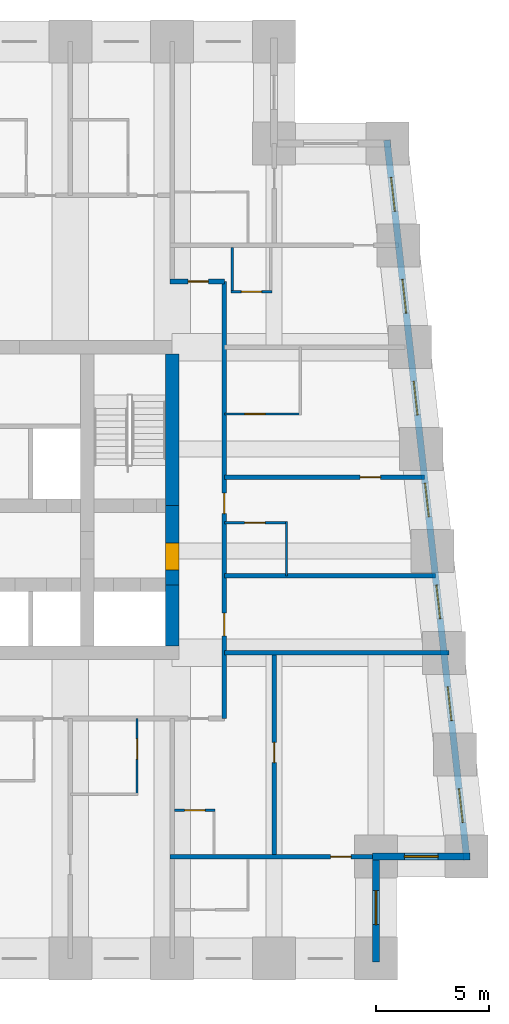
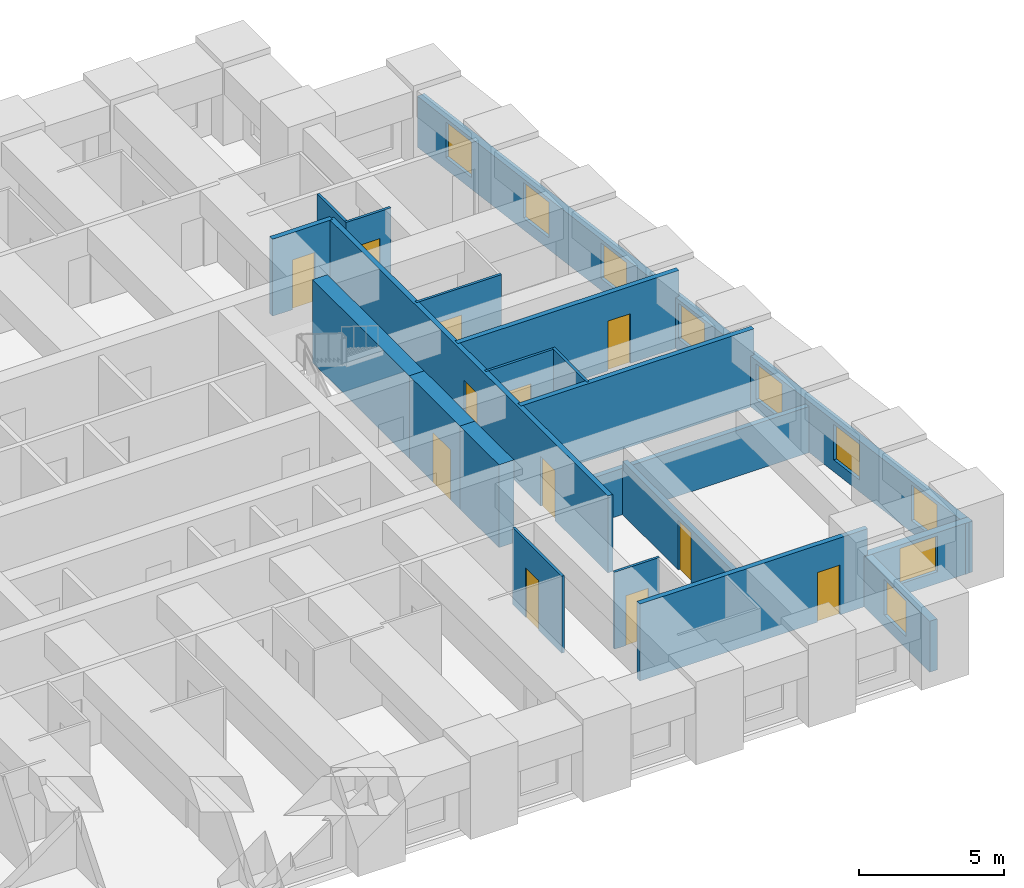
# One storey, part 5 of 8: 20 walls, 12 doors, 9 windows, 21 openings.
"""IFC4 building model written with IfcOpenShell, lengths in metres."""

import ifcopenshell
import ifcopenshell.guid

model = None  # the IFC model being written
_history = None  # IfcOwnerHistory: only IFC2X3 demands one
_inside = {}  # id of a spatial element -> (the spatial element, [elements in it])
_under = {}  # id of a project, library or spatial element -> (it, [spatial elements below it])
_declared = {}  # id of a project -> (the project, [libraries it declares])
_typed = {}  # id of a type object -> (the type object, [elements of that type])
_made_of = {}  # id of a material, layer set ... -> (it, [elements and type objects made of it])


def new_model(schema):
    """Start an empty IFC model of exactly this schema.

    Asked for "IFC4X3", IfcOpenShell would pick the latest addendum, in which some entities
    have other attributes; the version numbers below select the first issue.
    IFC2X3 requires an IfcOwnerHistory on every rooted entity: one is made here for all.
    """
    global model, _history
    if schema == "IFC4X3":
        model = ifcopenshell.file(schema_version=(4, 3, 0, 0))
    else:
        model = ifcopenshell.file(schema=schema)
    _inside.clear()
    _under.clear()
    _declared.clear()
    _typed.clear()
    _made_of.clear()
    _history = None
    if model.schema == "IFC2X3":
        org = make("IfcOrganization", Name="unknown")
        user = make(
            "IfcPersonAndOrganization",
            ThePerson=make("IfcPerson", FamilyName="unknown"),
            TheOrganization=org,
        )
        app = make(
            "IfcApplication",
            ApplicationDeveloper=org,
            Version="unknown",
            ApplicationFullName="unknown",
            ApplicationIdentifier="unknown",
        )
        _history = make(
            "IfcOwnerHistory",
            OwningUser=user,
            OwningApplication=app,
            ChangeAction="ADDED",
            CreationDate=0,
        )
    return model


def make(cls, **values):
    """One entity of the class cls with the attributes given. An attribute that is None is left unset."""
    return model.create_entity(
        cls, **{name: value for name, value in values.items() if value is not None}
    )


def rooted(cls, **values):
    """An entity with a GlobalId (a new one), such as an element, a storey or a relation."""
    return make(cls, GlobalId=ifcopenshell.guid.new(), OwnerHistory=_history, **values)


def si_unit(unit_type, name, prefix=None):
    """IfcSIUnit, for example si_unit("LENGTHUNIT", "METRE", prefix="MILLI")."""
    return make("IfcSIUnit", UnitType=unit_type, Prefix=prefix, Name=name)


def assignment(units):
    """IfcUnitAssignment: the units of a project."""
    return None if units is None else make("IfcUnitAssignment", Units=units)


def point(xyz):
    """IfcCartesianPoint."""
    return None if xyz is None else make("IfcCartesianPoint", Coordinates=xyz)


def direction(xyz):
    """IfcDirection."""
    return None if xyz is None else make("IfcDirection", DirectionRatios=xyz)


def frame(location, z_axis=None, x_axis=None):
    """IfcAxis2Placement3D, a coordinate frame: its origin and axes. An axis left out is left unset."""
    return make(
        "IfcAxis2Placement3D",
        Location=point(location),
        Axis=direction(z_axis),
        RefDirection=direction(x_axis),
    )


def frame_2d(location, x_axis=None):
    """IfcAxis2Placement2D, a coordinate frame in the plane: its origin and x axis."""
    return make(
        "IfcAxis2Placement2D", Location=point(location), RefDirection=direction(x_axis)
    )


def origin():
    """The frame at (0, 0, 0) with its axes left unset."""
    return frame((0.0, 0.0, 0.0))


def place(relative_to, where):
    """IfcLocalPlacement: puts the frame where relative to a parent placement (None: the world)."""
    return make(
        "IfcLocalPlacement", PlacementRelTo=relative_to, RelativePlacement=where
    )


def context(
    kind, dimensions, precision=None, world=None, true_north=None, identifier=None
):
    """IfcGeometricRepresentationContext, for example the 3D "Model" context."""
    return make(
        "IfcGeometricRepresentationContext",
        ContextIdentifier=identifier,
        ContextType=kind,
        CoordinateSpaceDimension=dimensions,
        Precision=precision,
        WorldCoordinateSystem=world,
        TrueNorth=true_north,
    )


def subcontext(parent, identifier, kind, view, scale=None):
    """IfcGeometricRepresentationSubContext, for example "Body" below "Model"."""
    return make(
        "IfcGeometricRepresentationSubContext",
        ContextIdentifier=identifier,
        ContextType=kind,
        ParentContext=parent,
        TargetScale=scale,
        TargetView=view,
    )


def project(units=None, contexts=None):
    """IfcProject with its units and contexts."""
    return rooted(
        "IfcProject",
        Name="project",
        RepresentationContexts=contexts,
        UnitsInContext=assignment(units),
    )


def spatial(cls, under=None, at=None, **own):
    """A site, building, storey or space (cls), placed at a placement, below another one or the project."""
    s = rooted(cls, ObjectPlacement=at, **own)
    if under is not None:
        _under.setdefault(under.id(), (under, []))[1].append(s)
    return s


def profile(cls, at=None, kind="AREA", **sizes):
    """A parametric profile (cls). Its sizes go by their IFC names, for example OverallWidth=200.0."""
    return make(cls, ProfileType=kind, Position=at, **sizes)


def rectangle(**sizes):
    """IfcRectangleProfileDef."""
    return profile("IfcRectangleProfileDef", **sizes)


def extrude(swept, where, along, depth):
    """IfcExtrudedAreaSolid: the profile swept, set in the frame where, extruded along a direction by depth."""
    return make(
        "IfcExtrudedAreaSolid",
        SweptArea=swept,
        Position=where,
        ExtrudedDirection=direction(along),
        Depth=depth,
    )


def shape(context_of_items, identifier, shape_type, items):
    """IfcShapeRepresentation: the items that make up one representation, for example the "Body"."""
    return make(
        "IfcShapeRepresentation",
        ContextOfItems=context_of_items,
        RepresentationIdentifier=identifier,
        RepresentationType=shape_type,
        Items=items,
    )


def material(Name=None, Category=None):
    """IfcMaterial."""
    return make("IfcMaterial", Name=Name, Category=Category)


def layer(
    of_material, thickness, ventilated=None, Name=None, Category=None, Priority=None
):
    """IfcMaterialLayer: one layer of a wall or slab, of a material (None: an air gap)."""
    return make(
        "IfcMaterialLayer",
        Material=of_material,
        LayerThickness=thickness,
        IsVentilated=ventilated,
        Name=Name,
        Category=Category,
        Priority=Priority,
    )


def layer_set(layers, Name=None):
    """IfcMaterialLayerSet."""
    return make("IfcMaterialLayerSet", MaterialLayers=layers, LayerSetName=Name)


def made_of(thing, what):
    """Note that an element or type object is made of a material, layer set ...; save() writes the relation."""
    if what is not None:
        _made_of.setdefault(what.id(), (what, []))[1].append(thing)
    return thing


def type_object(cls, material=None, **own):
    """A type object (cls), such as IfcWallType, which elements share."""
    return made_of(rooted(cls, **own), material)


def element(
    cls,
    number,
    at=None,
    inside=None,
    cuts=None,
    type_object=None,
    material=None,
    context=None,
    identifier="Body",
    shape_type=None,
    held_by="IfcProductDefinitionShape",
    body=None,
    shapes=None,
    **own,
):
    """One element of the class cls, such as IfcWall. Its Tag is "e" and its number.

    at: its placement. inside: the storey or other place that contains it. cuts: it is an
    opening in that element (IfcRelVoidsElement). A single representation is given by context,
    identifier, shape_type and body (its items); several are given by shapes. held_by: the class
    of the entity that holds the representations. save() writes the other relations.
    """
    e = rooted(cls, Tag="e%d" % number, ObjectPlacement=at, **own)
    if body is not None:
        shapes = [shape(context, identifier, shape_type, body)]
    if shapes is not None:
        e.Representation = make(held_by, Representations=shapes)
    if inside is not None:
        _inside.setdefault(inside.id(), (inside, []))[1].append(e)
    if cuts is not None:
        rooted(
            "IfcRelVoidsElement", RelatingBuildingElement=cuts, RelatedOpeningElement=e
        )
    if type_object is not None:
        _typed.setdefault(type_object.id(), (type_object, []))[1].append(e)
    return made_of(e, material)


def fill(opening, filler):
    """IfcRelFillsElement: the door or window that sits in an opening."""
    return rooted(
        "IfcRelFillsElement",
        RelatingOpeningElement=opening,
        RelatedBuildingElement=filler,
    )


def aggregate(whole, parts):
    """IfcRelAggregates: a whole, such as a stair, and the parts it consists of."""
    return rooted("IfcRelAggregates", RelatingObject=whole, RelatedObjects=parts)


def save(model, path):
    """Write the relations noted so far, then the file.

    IfcRelAggregates (storeys below a building ...), IfcRelContainedInSpatialStructure (elements
    in a storey), IfcRelDefinesByType, IfcRelAssociatesMaterial and IfcRelDeclares: one each for
    every whole, place, type object, material and project.
    """
    for whole, parts in _under.values():
        aggregate(whole, parts)
    for where, things in _inside.values():
        rooted(
            "IfcRelContainedInSpatialStructure",
            RelatedElements=things,
            RelatingStructure=where,
        )
    for kind, things in _typed.values():
        rooted("IfcRelDefinesByType", RelatedObjects=things, RelatingType=kind)
    for what, things in _made_of.values():
        rooted("IfcRelAssociatesMaterial", RelatedObjects=things, RelatingMaterial=what)
    for by, libraries in _declared.values():
        rooted("IfcRelDeclares", RelatingContext=by, RelatedDefinitions=libraries)
    model.write(path)


model = new_model("IFC4")

# Units and contexts
model_context = context("Model", 3, precision=1e-05, world=origin(), true_north=direction((0.0, 1.0)))
body_context = subcontext(model_context, "Body", "Model", "MODEL_VIEW")
ifc_project = project(units=[si_unit("LENGTHUNIT", "METRE"), si_unit("AREAUNIT", "SQUARE_METRE"), si_unit("VOLUMEUNIT", "CUBIC_METRE"), si_unit("PLANEANGLEUNIT", "RADIAN"), si_unit("MASSUNIT", "GRAM", prefix="KILO")], contexts=[model_context])

# Site, building, storey
site_placement = place(None, origin())
site = spatial("IfcSite", under=ifc_project, at=site_placement, CompositionType="ELEMENT")
building_placement = place(site_placement, origin())
building = spatial("IfcBuilding", under=site, at=building_placement, Name="Kilele Tower Hotel", CompositionType="ELEMENT")
storey_placement = place(building_placement, frame((0.0, 0.0, 96.89990234375)))
storey = spatial("IfcBuildingStorey", under=building, at=storey_placement, Name="L24", CompositionType="ELEMENT", Elevation=96.89990234375)

# Wall, opening, door
ifc_material_1 = material(Name="Moisture-resistant board")
ifc_layer_1 = layer(ifc_material_1, 0.10009765625)
ifc_layer_set_1 = layer_set([ifc_layer_1], Name="Moisture-resistant board")
wall_type_1 = type_object("IfcWallType", Name="Bathroom partition 100", PredefinedType="PLUMBINGWALL", material=ifc_layer_set_1)
wall_1_placement = place(storey_placement, frame((34.449951171875, 10.60009765625, 0.0), z_axis=(0.0, 0.0, 1.0), x_axis=(0.0, -1.0, 0.0)))
wall_1 = element("IfcWall", 1, at=wall_1_placement, inside=storey, type_object=wall_type_1, Name="Bathroom partition 100 L24", PredefinedType="PLUMBINGWALL", context=body_context, shape_type="SweptSolid", body=[
    extrude(rectangle(XDim=3.400146484375, YDim=0.10009765625, at=frame_2d((1.7001953125, 0.0))), origin(), (0.0, 0.0, 1.0), 3.25),
])
opening_1_placement = place(wall_1_placement, frame((0.89990234375, 0.0, 0.0)))
opening_1 = element("IfcOpeningElement", 2, at=opening_1_placement, cuts=wall_1, Name="Opening D2A", PredefinedType="OPENING", context=body_context, shape_type="SweptSolid", body=[
    extrude(rectangle(XDim=0.89990234375, YDim=2.10009765625, at=frame_2d((0.449951171875, 1.050048828125))), frame((0.0, 0.06005859375, 0.0), z_axis=(0.0, -1.0, 0.0), x_axis=(1.0, 0.0, 0.0)), (0.0, 0.0, 1.0), 0.1201171875),
])
ifc_material_2 = material(Name="Timber door leaf in hardwood frame", Category="wood")
door_type_1 = type_object("IfcDoorType", Name="Bathroom door 900", OperationType="SINGLE_SWING_LEFT", PredefinedType="DOOR", material=ifc_material_2)
door_1_placement = place(opening_1_placement, origin())
door_1 = element("IfcDoor", 3, at=door_1_placement, inside=storey, type_object=door_type_1, Name="Bathroom door 2405B", OperationType="SINGLE_SWING_LEFT", OverallHeight=2.10009765625, OverallWidth=0.89990234375, PredefinedType="DOOR", context=body_context, shape_type="SweptSolid", body=[
    extrude(rectangle(XDim=0.89990234375, YDim=2.10009765625, at=frame_2d((0.449951171875, 1.050048828125))), frame((0.0, 0.02490234375, 0.0), z_axis=(0.0, -1.0, 0.0), x_axis=(1.0, 0.0, 0.0)), (0.0, 0.0, 1.0), 0.050048828125),
])
fill(opening_1, door_1)

# Wall
wall_2_placement = place(storey_placement, frame((41.050048828125, 16.89990234375, 0.0), z_axis=(0.0, 0.0, 1.0), x_axis=(0.0, 1.0, 0.0)))
element("IfcWall", 4, at=wall_2_placement, inside=storey, type_object=wall_type_1, Name="Bathroom partition 100 L24", PredefinedType="PLUMBINGWALL", context=body_context, shape_type="SweptSolid", body=[
    extrude(rectangle(XDim=2.400146484375, YDim=0.10009765625, at=frame_2d((1.2001953125, 0.0))), origin(), (0.0, 0.0, 1.0), 3.25),
])

# Wall, opening, door
wall_3_placement = place(storey_placement, frame((38.300048828125, 19.25, 0.0), z_axis=(0.0, 0.0, 1.0), x_axis=(1.0, 0.0, 0.0)))
wall_3 = element("IfcWall", 5, at=wall_3_placement, inside=storey, type_object=wall_type_1, Name="Bathroom partition 100 L24", PredefinedType="PLUMBINGWALL", context=body_context, shape_type="SweptSolid", body=[
    extrude(rectangle(XDim=2.800048828125, YDim=0.10009765625, at=frame_2d((1.39990234375, 0.0))), origin(), (0.0, 0.0, 1.0), 3.25),
])
opening_2_placement = place(wall_3_placement, frame((0.89990234375, 0.0, 0.0)))
opening_2 = element("IfcOpeningElement", 6, at=opening_2_placement, cuts=wall_3, Name="Opening D2A", PredefinedType="OPENING", context=body_context, shape_type="SweptSolid", body=[
    extrude(rectangle(XDim=0.89990234375, YDim=2.10009765625, at=frame_2d((0.449951171875, 1.050048828125))), frame((0.0, 0.06005859375, 0.0), z_axis=(0.0, -1.0, 0.0), x_axis=(1.0, 0.0, 0.0)), (0.0, 0.0, 1.0), 0.1201171875),
])
door_2_placement = place(opening_2_placement, origin())
door_2 = element("IfcDoor", 7, at=door_2_placement, inside=storey, type_object=door_type_1, Name="Bathroom door 2407B", OperationType="SINGLE_SWING_LEFT", OverallHeight=2.10009765625, OverallWidth=0.89990234375, PredefinedType="DOOR", context=body_context, shape_type="SweptSolid", body=[
    extrude(rectangle(XDim=0.89990234375, YDim=2.10009765625, at=frame_2d((0.449951171875, 1.050048828125))), frame((0.0, 0.02490234375, 0.0), z_axis=(0.0, -1.0, 0.0), x_axis=(1.0, 0.0, 0.0)), (0.0, 0.0, 1.0), 0.050048828125),
])
fill(opening_2, door_2)

wall_4_placement = place(storey_placement, frame((38.300048828125, 24.050048828125, 0.0), z_axis=(0.0, 0.0, 1.0), x_axis=(1.0, 0.0, 0.0)))
wall_4 = element("IfcWall", 8, at=wall_4_placement, inside=storey, type_object=wall_type_1, Name="Bathroom partition 100 L24", PredefinedType="PLUMBINGWALL", context=body_context, shape_type="SweptSolid", body=[
    extrude(rectangle(XDim=3.39990234375, YDim=0.10009765625, at=frame_2d((1.699951171875, 0.0))), origin(), (0.0, 0.0, 1.0), 3.25),
])
opening_3_placement = place(wall_4_placement, frame((1.7998046875, 0.0, 0.0), z_axis=(0.0, 0.0, 1.0), x_axis=(-1.0, 0.0, 0.0)))
opening_3 = element("IfcOpeningElement", 9, at=opening_3_placement, cuts=wall_4, Name="Opening D2A", PredefinedType="OPENING", context=body_context, shape_type="SweptSolid", body=[
    extrude(rectangle(XDim=0.89990234375, YDim=2.10009765625, at=frame_2d((0.449951171875, 1.050048828125))), frame((0.0, 0.06005859375, 0.0), z_axis=(0.0, -1.0, 0.0), x_axis=(1.0, 0.0, 0.0)), (0.0, 0.0, 1.0), 0.1201171875),
])
door_3_placement = place(opening_3_placement, origin())
door_3 = element("IfcDoor", 10, at=door_3_placement, inside=storey, type_object=door_type_1, Name="Bathroom door 2408B", OperationType="SINGLE_SWING_RIGHT", OverallHeight=2.10009765625, OverallWidth=0.89990234375, PredefinedType="DOOR", context=body_context, shape_type="SweptSolid", body=[
    extrude(rectangle(XDim=0.89990234375, YDim=2.10009765625, at=frame_2d((0.449951171875, 1.050048828125))), frame((0.0, 0.02490234375, 0.0), z_axis=(0.0, -1.0, 0.0), x_axis=(1.0, 0.0, 0.0)), (0.0, 0.0, 1.0), 0.050048828125),
])
fill(opening_3, door_3)

wall_5_placement = place(storey_placement, frame((36.10009765625, 6.550048828125, 0.0), z_axis=(0.0, 0.0, 1.0), x_axis=(1.0, 0.0, 0.0)))
wall_5 = element("IfcWall", 11, at=wall_5_placement, inside=storey, type_object=wall_type_1, Name="Bathroom partition 100 L24", PredefinedType="PLUMBINGWALL", context=body_context, shape_type="SweptSolid", body=[
    extrude(rectangle(XDim=1.7998046875, YDim=0.10009765625, at=frame_2d((0.89990234375, 0.0))), origin(), (0.0, 0.0, 1.0), 3.25),
])
opening_4_placement = place(wall_5_placement, frame((0.449951171875, 0.0, 0.0)))
opening_4 = element("IfcOpeningElement", 12, at=opening_4_placement, cuts=wall_5, Name="Opening D2A", PredefinedType="OPENING", context=body_context, shape_type="SweptSolid", body=[
    extrude(rectangle(XDim=0.89990234375, YDim=2.10009765625, at=frame_2d((0.449951171875, 1.050048828125))), frame((0.0, 0.06005859375, 0.0), z_axis=(0.0, -1.0, 0.0), x_axis=(1.0, 0.0, 0.0)), (0.0, 0.0, 1.0), 0.1201171875),
])
door_4_placement = place(opening_4_placement, origin())
door_4 = element("IfcDoor", 13, at=door_4_placement, inside=storey, type_object=door_type_1, Name="Bathroom door 2420P", OperationType="SINGLE_SWING_LEFT", OverallHeight=2.10009765625, OverallWidth=0.89990234375, PredefinedType="DOOR", context=body_context, shape_type="SweptSolid", body=[
    extrude(rectangle(XDim=0.89990234375, YDim=2.10009765625, at=frame_2d((0.449951171875, 1.050048828125))), frame((0.0, 0.02490234375, 0.0), z_axis=(0.0, -1.0, 0.0), x_axis=(1.0, 0.0, 0.0)), (0.0, 0.0, 1.0), 0.050048828125),
])
fill(opening_4, door_4)

# Wall
wall_6_placement = place(storey_placement, frame((38.64990234375, 31.39990234375, 0.0), z_axis=(0.0, 0.0, 1.0), x_axis=(0.0, -1.0, 0.0)))
element("IfcWall", 14, at=wall_6_placement, inside=storey, type_object=wall_type_1, Name="Bathroom partition 100 L24", PredefinedType="PLUMBINGWALL", context=body_context, shape_type="SweptSolid", body=[
    extrude(rectangle(XDim=2.0, YDim=0.10009765625, at=frame_2d((1.0, 0.0))), origin(), (0.0, 0.0, 1.0), 3.25),
])

# Wall, opening, door
wall_7_placement = place(storey_placement, frame((38.60009765625, 29.449951171875, 0.0), z_axis=(0.0, 0.0, 1.0), x_axis=(1.0, 0.0, 0.0)))
wall_7 = element("IfcWall", 15, at=wall_7_placement, inside=storey, type_object=wall_type_1, Name="Bathroom partition 100 L24", PredefinedType="PLUMBINGWALL", context=body_context, shape_type="SweptSolid", body=[
    extrude(rectangle(XDim=1.7998046875, YDim=0.10009765625, at=frame_2d((0.89990234375, 0.0))), origin(), (0.0, 0.0, 1.0), 3.25),
])
opening_5_placement = place(wall_7_placement, frame((1.349853515625, 0.0, 0.0), z_axis=(0.0, 0.0, 1.0), x_axis=(-1.0, 0.0, 0.0)))
opening_5 = element("IfcOpeningElement", 16, at=opening_5_placement, cuts=wall_7, Name="Opening D2A", PredefinedType="OPENING", context=body_context, shape_type="SweptSolid", body=[
    extrude(rectangle(XDim=0.89990234375, YDim=2.10009765625, at=frame_2d((0.449951171875, 1.050048828125))), frame((0.0, 0.06005859375, 0.0), z_axis=(0.0, -1.0, 0.0), x_axis=(1.0, 0.0, 0.0)), (0.0, 0.0, 1.0), 0.1201171875),
])
door_5_placement = place(opening_5_placement, origin())
door_5 = element("IfcDoor", 17, at=door_5_placement, inside=storey, type_object=door_type_1, Name="Bathroom door 2423P", OperationType="SINGLE_SWING_RIGHT", OverallHeight=2.10009765625, OverallWidth=0.89990234375, PredefinedType="DOOR", context=body_context, shape_type="SweptSolid", body=[
    extrude(rectangle(XDim=0.89990234375, YDim=2.10009765625, at=frame_2d((0.449951171875, 1.050048828125))), frame((0.0, 0.02490234375, 0.0), z_axis=(0.0, -1.0, 0.0), x_axis=(1.0, 0.0, 0.0)), (0.0, 0.0, 1.0), 0.050048828125),
])
fill(opening_5, door_5)

# Wall
ifc_material_3 = material(Name="Concrete C60/75", Category="concrete")
ifc_layer_2 = layer(ifc_material_3, 0.60009765625)
ifc_layer_set_2 = layer_set([ifc_layer_2], Name="Concrete C60/75")
wall_type_2 = type_object("IfcWallType", Name="Core wall 600 C60/75", PredefinedType="SHEAR", material=ifc_layer_set_2)
wall_8_placement = place(storey_placement, frame((36.0, 13.800048828125, 0.0), z_axis=(0.0, 0.0, 1.0), x_axis=(0.0, 1.0, 0.0)))
element("IfcWall", 18, at=wall_8_placement, inside=storey, type_object=wall_type_2, Name="Core wall E1 L24", PredefinedType="SHEAR", context=body_context, shape_type="SweptSolid", body=[
    extrude(rectangle(XDim=2.699951171875, YDim=0.60009765625, at=frame_2d((1.35009765625, 0.0))), origin(), (0.0, 0.0, 1.0), 3.5),
])

# Wall, opening, door
wall_9_placement = place(storey_placement, frame((36.0, 16.5, 0.0), z_axis=(0.0, 0.0, 1.0), x_axis=(0.0, 1.0, 0.0)))
wall_9 = element("IfcWall", 19, at=wall_9_placement, inside=storey, type_object=wall_type_2, Name="Core wall E2 L24", PredefinedType="SHEAR", context=body_context, shape_type="SweptSolid", body=[
    extrude(rectangle(XDim=3.5, YDim=0.60009765625, at=frame_2d((1.75, 0.0))), origin(), (0.0, 0.0, 1.0), 3.5),
])
opening_6_placement = place(wall_9_placement, frame((0.64990234375, 0.0, 0.0)))
opening_6 = element("IfcOpeningElement", 20, at=opening_6_placement, cuts=wall_9, Name="Opening D4", PredefinedType="OPENING", context=body_context, shape_type="SweptSolid", body=[
    extrude(rectangle(XDim=1.199951171875, YDim=2.10009765625, at=frame_2d((0.60009765625, 1.050048828125))), frame((0.0, 0.31005859375, 0.0), z_axis=(0.0, -1.0, 0.0), x_axis=(1.0, 0.0, 0.0)), (0.0, 0.0, 1.0), 0.6201171875),
])
ifc_material_4 = material(Name="Timber door leaf in hardwood frame", Category="wood")
door_type_2 = type_object("IfcDoorType", Name="Firefighting lobby door 1200", OperationType="SINGLE_SWING_LEFT", PredefinedType="DOOR", material=ifc_material_4)
door_6_placement = place(opening_6_placement, origin())
door_6 = element("IfcDoor", 21, at=door_6_placement, inside=storey, type_object=door_type_2, Name="Lobby door L24", OperationType="SINGLE_SWING_LEFT", OverallHeight=2.10009765625, OverallWidth=1.199951171875, PredefinedType="DOOR", context=body_context, shape_type="SweptSolid", body=[
    extrude(rectangle(XDim=1.199951171875, YDim=2.10009765625, at=frame_2d((0.60009765625, 1.050048828125))), frame((0.0, 0.2998046875, 0.0), z_axis=(0.0, -1.0, 0.0), x_axis=(1.0, 0.0, 0.0)), (0.0, 0.0, 1.0), 0.599609375),
])
fill(opening_6, door_6)

# Wall
wall_10_placement = place(storey_placement, frame((36.0, 20.0, 0.0), z_axis=(0.0, 0.0, 1.0), x_axis=(0.0, 1.0, 0.0)))
element("IfcWall", 22, at=wall_10_placement, inside=storey, type_object=wall_type_2, Name="Core wall E3 L24", PredefinedType="SHEAR", context=body_context, shape_type="SweptSolid", body=[
    extrude(rectangle(XDim=6.699951171875, YDim=0.60009765625, at=frame_2d((3.35009765625, 0.0))), origin(), (0.0, 0.0, 1.0), 3.5),
])

# Wall, opening, door
ifc_material_5 = material(Name="Blockwork, plastered both sides", Category="masonry")
ifc_layer_3 = layer(ifc_material_5, 0.199951171875)
ifc_layer_set_3 = layer_set([ifc_layer_3], Name="Blockwork, plastered both sides")
wall_type_3 = type_object("IfcWallType", Name="Corridor wall 200", PredefinedType="PARTITIONING", material=ifc_layer_set_3)
wall_11_placement = place(storey_placement, frame((35.89990234375, 29.89990234375, 0.0), z_axis=(0.0, 0.0, 1.0), x_axis=(1.0, 0.0, 0.0)))
wall_11 = element("IfcWall", 23, at=wall_11_placement, inside=storey, type_object=wall_type_3, Name="Corridor wall 200 L24", PredefinedType="PARTITIONING", context=body_context, shape_type="SweptSolid", body=[
    extrude(rectangle(XDim=2.400146484375, YDim=0.199951171875, at=frame_2d((1.2001953125, 0.0))), origin(), (0.0, 0.0, 1.0), 3.25),
])
opening_7_placement = place(wall_11_placement, frame((0.800048828125, 0.0, 0.0)))
opening_7 = element("IfcOpeningElement", 24, at=opening_7_placement, cuts=wall_11, Name="Opening D1", PredefinedType="OPENING", context=body_context, shape_type="SweptSolid", body=[
    extrude(rectangle(XDim=0.89990234375, YDim=2.10009765625, at=frame_2d((0.449951171875, 1.050048828125))), frame((0.0, 0.10986328125, 0.0), z_axis=(0.0, -1.0, 0.0), x_axis=(1.0, 0.0, 0.0)), (0.0, 0.0, 1.0), 0.219970703125),
])
ifc_material_6 = material(Name="Timber door leaf in hardwood frame", Category="wood")
door_type_3 = type_object("IfcDoorType", Name="Guest room entrance door 900", OperationType="SINGLE_SWING_LEFT", PredefinedType="DOOR", material=ifc_material_6)
door_7_placement = place(opening_7_placement, origin())
door_7 = element("IfcDoor", 25, at=door_7_placement, inside=storey, type_object=door_type_3, Name="Room entrance 2423", OperationType="SINGLE_SWING_LEFT", OverallHeight=2.10009765625, OverallWidth=0.89990234375, PredefinedType="DOOR", context=body_context, shape_type="SweptSolid", body=[
    extrude(rectangle(XDim=0.89990234375, YDim=2.10009765625, at=frame_2d((0.449951171875, 1.050048828125))), frame((0.0, 0.02490234375, 0.0), z_axis=(0.0, -1.0, 0.0), x_axis=(1.0, 0.0, 0.0)), (0.0, 0.0, 1.0), 0.050048828125),
])
fill(opening_7, door_7)

# Wall, openings, doors
wall_12_placement = place(storey_placement, frame((38.300048828125, 10.60009765625, 0.0), z_axis=(0.0, 0.0, 1.0), x_axis=(0.0, 1.0, 0.0)))
wall_12 = element("IfcWall", 26, at=wall_12_placement, inside=storey, type_object=wall_type_3, Name="Corridor wall 200 L24", PredefinedType="PARTITIONING", context=body_context, shape_type="SweptSolid", body=[
    extrude(rectangle(XDim=19.2998046875, YDim=0.199951171875, at=frame_2d((9.64990234375, 0.0))), origin(), (0.0, 0.0, 1.0), 3.25),
])
opening_8_placement = place(wall_12_placement, frame((4.64990234375, 0.0, 0.0), z_axis=(0.0, 0.0, 1.0), x_axis=(-1.0, 0.0, 0.0)))
opening_8 = element("IfcOpeningElement", 27, at=opening_8_placement, cuts=wall_12, Name="Opening D8", PredefinedType="OPENING", context=body_context, shape_type="SweptSolid", body=[
    extrude(rectangle(XDim=1.0, YDim=2.10009765625, at=frame_2d((0.5, 1.050048828125))), frame((0.0, 0.10986328125, 0.0), z_axis=(0.0, -1.0, 0.0), x_axis=(1.0, 0.0, 0.0)), (0.0, 0.0, 1.0), 0.219970703125),
])
opening_9_placement = place(wall_12_placement, frame((9.949951171875, 0.0, 0.0), z_axis=(0.0, 0.0, 1.0), x_axis=(-1.0, 0.0, 0.0)))
opening_9 = element("IfcOpeningElement", 28, at=opening_9_placement, cuts=wall_12, Name="Opening D1", PredefinedType="OPENING", context=body_context, shape_type="SweptSolid", body=[
    extrude(rectangle(XDim=0.89990234375, YDim=2.10009765625, at=frame_2d((0.449951171875, 1.050048828125))), frame((0.0, 0.10986328125, 0.0), z_axis=(0.0, -1.0, 0.0), x_axis=(1.0, 0.0, 0.0)), (0.0, 0.0, 1.0), 0.219970703125),
])
ifc_material_7 = material(Name="Timber door leaf in hardwood frame", Category="wood")
door_type_4 = type_object("IfcDoorType", Name="Door 1000", OperationType="SINGLE_SWING_LEFT", PredefinedType="DOOR", material=ifc_material_7)
door_8_placement = place(opening_8_placement, origin())
door_8 = element("IfcDoor", 29, at=door_8_placement, inside=storey, type_object=door_type_4, Name="Room entrance 2406", OperationType="SINGLE_SWING_RIGHT", OverallHeight=2.10009765625, OverallWidth=1.0, PredefinedType="DOOR", context=body_context, shape_type="SweptSolid", body=[
    extrude(rectangle(XDim=1.0, YDim=2.10009765625, at=frame_2d((0.5, 1.050048828125))), frame((0.0, 0.02490234375, 0.0), z_axis=(0.0, -1.0, 0.0), x_axis=(1.0, 0.0, 0.0)), (0.0, 0.0, 1.0), 0.050048828125),
])
fill(opening_8, door_8)
door_9_placement = place(opening_9_placement, origin())
door_9 = element("IfcDoor", 30, at=door_9_placement, inside=storey, type_object=door_type_3, Name="Room entrance 2407", OperationType="SINGLE_SWING_RIGHT", OverallHeight=2.10009765625, OverallWidth=0.89990234375, PredefinedType="DOOR", context=body_context, shape_type="SweptSolid", body=[
    extrude(rectangle(XDim=0.89990234375, YDim=2.10009765625, at=frame_2d((0.449951171875, 1.050048828125))), frame((0.0, 0.02490234375, 0.0), z_axis=(0.0, -1.0, 0.0), x_axis=(1.0, 0.0, 0.0)), (0.0, 0.0, 1.0), 0.050048828125),
])
fill(opening_9, door_9)

# Wall, opening, door
ifc_material_8 = material(Name="Blockwork, plastered both sides", Category="masonry")
ifc_layer_4 = layer(ifc_material_8, 0.199951171875)
ifc_layer_set_4 = layer_set([ifc_layer_4], Name="Blockwork, plastered both sides")
wall_type_4 = type_object("IfcWallType", Name="Partition wall 200", PredefinedType="PARTITIONING", material=ifc_layer_set_4)
wall_13_placement = place(storey_placement, frame((40.5, 4.60009765625, 0.0), z_axis=(0.0, 0.0, 1.0), x_axis=(0.0, 1.0, 0.0)))
wall_13 = element("IfcWall", 31, at=wall_13_placement, inside=storey, type_object=wall_type_4, Name="Partition wall 200 L24", PredefinedType="PARTITIONING", context=body_context, shape_type="SweptSolid", body=[
    extrude(rectangle(XDim=8.7998046875, YDim=0.199951171875, at=frame_2d((4.39990234375, 0.0))), origin(), (0.0, 0.0, 1.0), 2.25),
])
opening_10_placement = place(wall_13_placement, frame((4.050048828125, 0.0, 0.0)))
opening_10 = element("IfcOpeningElement", 32, at=opening_10_placement, cuts=wall_13, Name="Opening D3", PredefinedType="OPENING", context=body_context, shape_type="SweptSolid", body=[
    extrude(rectangle(XDim=0.89990234375, YDim=2.10009765625, at=frame_2d((0.449951171875, 1.050048828125))), frame((0.0, 0.10986328125, 0.0), z_axis=(0.0, -1.0, 0.0), x_axis=(1.0, 0.0, 0.0)), (0.0, 0.0, 1.0), 0.219970703125),
])
ifc_material_9 = material(Name="Timber door leaf in hardwood frame", Category="wood")
door_type_5 = type_object("IfcDoorType", Name="Suite internal door 900", OperationType="SINGLE_SWING_LEFT", PredefinedType="DOOR", material=ifc_material_9)
door_10_placement = place(opening_10_placement, origin())
door_10 = element("IfcDoor", 33, at=door_10_placement, inside=storey, type_object=door_type_5, Name="Suite door 2421", OperationType="SINGLE_SWING_RIGHT", OverallHeight=2.10009765625, OverallWidth=0.89990234375, PredefinedType="DOOR", context=body_context, shape_type="SweptSolid", body=[
    extrude(rectangle(XDim=0.89990234375, YDim=2.10009765625, at=frame_2d((0.449951171875, 1.050048828125))), frame((0.0, 0.02490234375, 0.0), z_axis=(0.0, -1.0, 0.0), x_axis=(1.0, 0.0, 0.0)), (0.0, 0.0, 1.0), 0.050048828125),
])
fill(opening_10, door_10)

# Wall
ifc_material_10 = material(Name="Blockwork, plastered both sides", Category="masonry")
ifc_layer_5 = layer(ifc_material_10, 0.199951171875)
ifc_layer_set_5 = layer_set([ifc_layer_5], Name="Blockwork, plastered both sides")
wall_type_5 = type_object("IfcWallType", Name="Party wall 200", PredefinedType="PARTITIONING", material=ifc_layer_set_5)
wall_14_placement = place(storey_placement, frame((38.300048828125, 16.89990234375, 0.0), z_axis=(0.0, 0.0, 1.0), x_axis=(1.0, 0.0, 0.0)))
element("IfcWall", 34, at=wall_14_placement, inside=storey, type_object=wall_type_5, Name="Party wall 200 L24", PredefinedType="PARTITIONING", context=body_context, shape_type="SweptSolid", body=[
    extrude(rectangle(XDim=9.3212890625, YDim=0.199951171875, at=frame_2d((4.66064453125, 0.0))), origin(), (0.0, 0.0, 1.0), 3.25),
])

# Wall, opening, door
wall_15_placement = place(storey_placement, frame((38.300048828125, 21.25, 0.0), z_axis=(0.0, 0.0, 1.0), x_axis=(1.0, 0.0, 0.0)))
wall_15 = element("IfcWall", 35, at=wall_15_placement, inside=storey, type_object=wall_type_5, Name="Party wall 200 L24", PredefinedType="PARTITIONING", context=body_context, shape_type="SweptSolid", body=[
    extrude(rectangle(XDim=8.837890625, YDim=0.199951171875, at=frame_2d((4.4189453125, 0.0))), origin(), (0.0, 0.0, 1.0), 3.25),
])
opening_11_placement = place(wall_15_placement, frame((6.0, 0.0, 0.0)))
opening_11 = element("IfcOpeningElement", 36, at=opening_11_placement, cuts=wall_15, Name="Opening D3", PredefinedType="OPENING", context=body_context, shape_type="SweptSolid", body=[
    extrude(rectangle(XDim=0.89990234375, YDim=2.10009765625, at=frame_2d((0.449951171875, 1.050048828125))), frame((0.0, 0.10986328125, 0.0), z_axis=(0.0, -1.0, 0.0), x_axis=(1.0, 0.0, 0.0)), (0.0, 0.0, 1.0), 0.219970703125),
])
door_11_placement = place(opening_11_placement, origin())
door_11 = element("IfcDoor", 37, at=door_11_placement, inside=storey, type_object=door_type_5, Name="Suite door 2408", OperationType="SINGLE_SWING_RIGHT", OverallHeight=2.10009765625, OverallWidth=0.89990234375, PredefinedType="DOOR", context=body_context, shape_type="SweptSolid", body=[
    extrude(rectangle(XDim=0.89990234375, YDim=2.10009765625, at=frame_2d((0.449951171875, 1.050048828125))), frame((0.0, 0.02490234375, 0.0), z_axis=(0.0, -1.0, 0.0), x_axis=(1.0, 0.0, 0.0)), (0.0, 0.0, 1.0), 0.050048828125),
])
fill(opening_11, door_11)

# Wall
wall_16_placement = place(storey_placement, frame((38.300048828125, 13.5, 0.0), z_axis=(0.0, 0.0, 1.0), x_axis=(1.0, 0.0, 0.0)))
element("IfcWall", 38, at=wall_16_placement, inside=storey, type_object=wall_type_5, Name="Party wall 200 L24", PredefinedType="PARTITIONING", context=body_context, shape_type="SweptSolid", body=[
    extrude(rectangle(XDim=9.921142578125, YDim=0.199951171875, at=frame_2d((4.96044921875, 0.0))), origin(), (0.0, 0.0, 1.0), 1.9501953125),
])

# Wall, opening, door
wall_17_placement = place(storey_placement, frame((35.89990234375, 4.5, 0.0), z_axis=(0.0, 0.0, 1.0), x_axis=(1.0, 0.0, 0.0)))
wall_17 = element("IfcWall", 39, at=wall_17_placement, inside=storey, type_object=wall_type_5, Name="Party wall 200 L24", PredefinedType="PARTITIONING", context=body_context, shape_type="SweptSolid", body=[
    extrude(rectangle(XDim=9.10009765625, YDim=0.199951171875, at=frame_2d((4.550048828125, 0.0))), origin(), (0.0, 0.0, 1.0), 3.25),
])
opening_12_placement = place(wall_17_placement, frame((7.10009765625, 0.0, 0.0)))
opening_12 = element("IfcOpeningElement", 40, at=opening_12_placement, cuts=wall_17, Name="Opening D3", PredefinedType="OPENING", context=body_context, shape_type="SweptSolid", body=[
    extrude(rectangle(XDim=0.89990234375, YDim=2.10009765625, at=frame_2d((0.449951171875, 1.050048828125))), frame((0.0, 0.10986328125, 0.0), z_axis=(0.0, -1.0, 0.0), x_axis=(1.0, 0.0, 0.0)), (0.0, 0.0, 1.0), 0.219970703125),
])
door_12_placement = place(opening_12_placement, origin())
door_12 = element("IfcDoor", 41, at=door_12_placement, inside=storey, type_object=door_type_5, Name="Suite door 2422", OperationType="SINGLE_SWING_RIGHT", OverallHeight=2.10009765625, OverallWidth=0.89990234375, PredefinedType="DOOR", context=body_context, shape_type="SweptSolid", body=[
    extrude(rectangle(XDim=0.89990234375, YDim=2.10009765625, at=frame_2d((0.449951171875, 1.050048828125))), frame((0.0, 0.02490234375, 0.0), z_axis=(0.0, -1.0, 0.0), x_axis=(1.0, 0.0, 0.0)), (0.0, 0.0, 1.0), 0.050048828125),
])
fill(opening_12, door_12)

# Wall, opening, window
ifc_material_11 = material(Name="Concrete C40/50 precast", Category="concrete")
ifc_layer_6 = layer(ifc_material_11, 0.260009765625, Name="Precast backing", Category="LoadBearing")
ifc_material_12 = material(Name="Reconstituted stone finish", Category="masonry")
ifc_layer_7 = layer(ifc_material_12, 0.0400390625, Name="Face mix", Category="Finish")
ifc_layer_set_6 = layer_set([ifc_layer_6, ifc_layer_7], Name="Precast concrete C40/50, reconstituted stone finish")
wall_type_6 = type_object("IfcWallType", Name="Precast stone facade wall 300", PredefinedType="STANDARD", material=ifc_layer_set_6)
wall_18_placement = place(storey_placement, frame((45.0, -0.14990234375, 0.0), z_axis=(0.0, 0.0, 1.0), x_axis=(0.0, 1.0, 0.0)))
wall_18 = element("IfcWall", 42, at=wall_18_placement, inside=storey, type_object=wall_type_6, Name="Facade wall L24 edge 4", PredefinedType="STANDARD", context=body_context, shape_type="SweptSolid", body=[
    extrude(rectangle(XDim=4.7998046875, YDim=0.300048828125, at=frame_2d((2.39990234375, 0.0))), origin(), (0.0, 0.0, 1.0), 2.150146484375),
])
opening_13_placement = place(wall_18_placement, frame((1.64990234375, 0.0, 0.5)))
opening_13 = element("IfcOpeningElement", 43, at=opening_13_placement, cuts=wall_18, Name="Opening W2", PredefinedType="OPENING", context=body_context, shape_type="SweptSolid", body=[
    extrude(rectangle(XDim=1.5, YDim=1.5, at=frame_2d((0.75, 0.75))), frame((0.0, 0.159912109375, 0.0), z_axis=(0.0, -1.0, 0.0), x_axis=(1.0, 0.0, 0.0)), (0.0, 0.0, 1.0), 0.320068359375),
])
ifc_material_13 = material(Name="Aluminium frame, clear double glazing", Category="aluminium")
window_type = type_object("IfcWindowType", Name="Window W2 1500 x 1500", PartitioningType="SINGLE_PANEL", PredefinedType="WINDOW", material=ifc_material_13)
window_1_placement = place(opening_13_placement, origin())
window_1 = element("IfcWindow", 44, at=window_1_placement, inside=storey, type_object=window_type, Name="Window L24", OverallHeight=1.5, OverallWidth=1.5, PartitioningType="SINGLE_PANEL", PredefinedType="WINDOW", context=body_context, shape_type="SweptSolid", body=[
    extrude(rectangle(XDim=1.5, YDim=1.5, at=frame_2d((0.75, 0.75))), frame((0.0, 0.030029296875, 0.0), z_axis=(0.0, -1.0, 0.0), x_axis=(1.0, 0.0, 0.0)), (0.0, 0.0, 1.0), 0.06005859375),
])
fill(opening_13, window_1)

wall_19_placement = place(storey_placement, frame((44.85009765625, 4.5, 0.0), z_axis=(0.0, 0.0, 1.0), x_axis=(1.0, 0.0, 0.0)))
wall_19 = element("IfcWall", 45, at=wall_19_placement, inside=storey, type_object=wall_type_6, Name="Facade wall L24 edge 5", PredefinedType="STANDARD", context=body_context, shape_type="SweptSolid", body=[
    extrude(rectangle(XDim=4.2998046875, YDim=0.300048828125, at=frame_2d((2.14990234375, 0.0))), origin(), (0.0, 0.0, 1.0), 2.150146484375),
])
opening_14_placement = place(wall_19_placement, frame((1.39990234375, 0.0, 0.5)))
opening_14 = element("IfcOpeningElement", 46, at=opening_14_placement, cuts=wall_19, Name="Opening W2", PredefinedType="OPENING", context=body_context, shape_type="SweptSolid", body=[
    extrude(rectangle(XDim=1.5, YDim=1.5, at=frame_2d((0.75, 0.75))), frame((0.0, 0.159912109375, 0.0), z_axis=(0.0, -1.0, 0.0), x_axis=(1.0, 0.0, 0.0)), (0.0, 0.0, 1.0), 0.320068359375),
])
window_2_placement = place(opening_14_placement, origin())
window_2 = element("IfcWindow", 47, at=window_2_placement, inside=storey, type_object=window_type, Name="Window L24", OverallHeight=1.5, OverallWidth=1.5, PartitioningType="SINGLE_PANEL", PredefinedType="WINDOW", context=body_context, shape_type="SweptSolid", body=[
    extrude(rectangle(XDim=1.5, YDim=1.5, at=frame_2d((0.75, 0.75))), frame((0.0, 0.030029296875, 0.0), z_axis=(0.0, -1.0, 0.0), x_axis=(1.0, 0.0, 0.0)), (0.0, 0.0, 1.0), 0.06005859375),
])
fill(opening_14, window_2)

# Wall, openings, windows
wall_20_placement = place(storey_placement, frame((49.0166015625, 4.350830078125, 0.0), z_axis=(0.0, 0.0, 1.0), x_axis=(-0.110433201132, 0.993883548555, 0.0)))
wall_20 = element("IfcWall", 48, at=wall_20_placement, inside=storey, type_object=wall_type_6, Name="Facade wall L24 edge 6", PredefinedType="STANDARD", context=body_context, shape_type="SweptSolid", body=[
    extrude(rectangle(XDim=31.994140625, YDim=0.300048828125, at=frame_2d((15.9970703125, 0.0))), origin(), (0.0, 0.0, 1.0), 2.150146484375),
])
opening_15_placement = place(wall_20_placement, frame((1.6640625, 0.0, 0.5)))
opening_15 = element("IfcOpeningElement", 49, at=opening_15_placement, cuts=wall_20, Name="Opening W2", PredefinedType="OPENING", context=body_context, shape_type="SweptSolid", body=[
    extrude(rectangle(XDim=1.5, YDim=1.5, at=frame_2d((0.75, 0.75))), frame((0.0, 0.159912109375, 0.0), z_axis=(0.0, -1.0, 0.0), x_axis=(1.0, 0.0, 0.0)), (0.0, 0.0, 1.0), 0.320068359375),
])
opening_16_placement = place(wall_20_placement, frame((6.19189453125, 0.0, 0.5)))
opening_16 = element("IfcOpeningElement", 50, at=opening_16_placement, cuts=wall_20, Name="Opening W2", PredefinedType="OPENING", context=body_context, shape_type="SweptSolid", body=[
    extrude(rectangle(XDim=1.5, YDim=1.5, at=frame_2d((0.75, 0.75))), frame((0.0, 0.159912109375, 0.0), z_axis=(0.0, -1.0, 0.0), x_axis=(1.0, 0.0, 0.0)), (0.0, 0.0, 1.0), 0.320068359375),
])
opening_17_placement = place(wall_20_placement, frame((10.718994140625, 0.0, 0.5)))
opening_17 = element("IfcOpeningElement", 51, at=opening_17_placement, cuts=wall_20, Name="Opening W2", PredefinedType="OPENING", context=body_context, shape_type="SweptSolid", body=[
    extrude(rectangle(XDim=1.5, YDim=1.5, at=frame_2d((0.75, 0.75))), frame((0.0, 0.159912109375, 0.0), z_axis=(0.0, -1.0, 0.0), x_axis=(1.0, 0.0, 0.0)), (0.0, 0.0, 1.0), 0.320068359375),
])
opening_18_placement = place(wall_20_placement, frame((15.2470703125, 0.0, 0.5)))
opening_18 = element("IfcOpeningElement", 52, at=opening_18_placement, cuts=wall_20, Name="Opening W2", PredefinedType="OPENING", context=body_context, shape_type="SweptSolid", body=[
    extrude(rectangle(XDim=1.5, YDim=1.5, at=frame_2d((0.75, 0.75))), frame((0.0, 0.159912109375, 0.0), z_axis=(0.0, -1.0, 0.0), x_axis=(1.0, 0.0, 0.0)), (0.0, 0.0, 1.0), 0.320068359375),
])
opening_19_placement = place(wall_20_placement, frame((19.77490234375, 0.0, 0.5)))
opening_19 = element("IfcOpeningElement", 53, at=opening_19_placement, cuts=wall_20, Name="Opening W2", PredefinedType="OPENING", context=body_context, shape_type="SweptSolid", body=[
    extrude(rectangle(XDim=1.5, YDim=1.5, at=frame_2d((0.75, 0.75))), frame((0.0, 0.159912109375, 0.0), z_axis=(0.0, -1.0, 0.0), x_axis=(1.0, 0.0, 0.0)), (0.0, 0.0, 1.0), 0.320068359375),
])
opening_20_placement = place(wall_20_placement, frame((24.302001953125, 0.0, 0.5)))
opening_20 = element("IfcOpeningElement", 54, at=opening_20_placement, cuts=wall_20, Name="Opening W2", PredefinedType="OPENING", context=body_context, shape_type="SweptSolid", body=[
    extrude(rectangle(XDim=1.5, YDim=1.5, at=frame_2d((0.75, 0.75))), frame((0.0, 0.159912109375, 0.0), z_axis=(0.0, -1.0, 0.0), x_axis=(1.0, 0.0, 0.0)), (0.0, 0.0, 1.0), 0.320068359375),
])
opening_21_placement = place(wall_20_placement, frame((28.830078125, 0.0, 0.5)))
opening_21 = element("IfcOpeningElement", 55, at=opening_21_placement, cuts=wall_20, Name="Opening W2", PredefinedType="OPENING", context=body_context, shape_type="SweptSolid", body=[
    extrude(rectangle(XDim=1.5, YDim=1.5, at=frame_2d((0.75, 0.75))), frame((0.0, 0.159912109375, 0.0), z_axis=(0.0, -1.0, 0.0), x_axis=(1.0, 0.0, 0.0)), (0.0, 0.0, 1.0), 0.320068359375),
])
window_3_placement = place(opening_15_placement, origin())
window_3 = element("IfcWindow", 56, at=window_3_placement, inside=storey, type_object=window_type, Name="Window L24", OverallHeight=1.5, OverallWidth=1.5, PartitioningType="SINGLE_PANEL", PredefinedType="WINDOW", context=body_context, shape_type="SweptSolid", body=[
    extrude(rectangle(XDim=1.5, YDim=1.5, at=frame_2d((0.75, 0.75))), frame((0.0, 0.030029296875, 0.0), z_axis=(0.0, -1.0, 0.0), x_axis=(1.0, 0.0, 0.0)), (0.0, 0.0, 1.0), 0.06005859375),
])
fill(opening_15, window_3)
window_4_placement = place(opening_16_placement, origin())
window_4 = element("IfcWindow", 57, at=window_4_placement, inside=storey, type_object=window_type, Name="Window L24", OverallHeight=1.5, OverallWidth=1.5, PartitioningType="SINGLE_PANEL", PredefinedType="WINDOW", context=body_context, shape_type="SweptSolid", body=[
    extrude(rectangle(XDim=1.5, YDim=1.5, at=frame_2d((0.75, 0.75))), frame((0.0, 0.030029296875, 0.0), z_axis=(0.0, -1.0, 0.0), x_axis=(1.0, 0.0, 0.0)), (0.0, 0.0, 1.0), 0.06005859375),
])
fill(opening_16, window_4)
window_5_placement = place(opening_17_placement, origin())
window_5 = element("IfcWindow", 58, at=window_5_placement, inside=storey, type_object=window_type, Name="Window L24", OverallHeight=1.5, OverallWidth=1.5, PartitioningType="SINGLE_PANEL", PredefinedType="WINDOW", context=body_context, shape_type="SweptSolid", body=[
    extrude(rectangle(XDim=1.5, YDim=1.5, at=frame_2d((0.75, 0.75))), frame((0.0, 0.030029296875, 0.0), z_axis=(0.0, -1.0, 0.0), x_axis=(1.0, 0.0, 0.0)), (0.0, 0.0, 1.0), 0.06005859375),
])
fill(opening_17, window_5)
window_6_placement = place(opening_18_placement, origin())
window_6 = element("IfcWindow", 59, at=window_6_placement, inside=storey, type_object=window_type, Name="Window L24", OverallHeight=1.5, OverallWidth=1.5, PartitioningType="SINGLE_PANEL", PredefinedType="WINDOW", context=body_context, shape_type="SweptSolid", body=[
    extrude(rectangle(XDim=1.5, YDim=1.5, at=frame_2d((0.75, 0.75))), frame((0.0, 0.030029296875, 0.0), z_axis=(0.0, -1.0, 0.0), x_axis=(1.0, 0.0, 0.0)), (0.0, 0.0, 1.0), 0.06005859375),
])
fill(opening_18, window_6)
window_7_placement = place(opening_19_placement, origin())
window_7 = element("IfcWindow", 60, at=window_7_placement, inside=storey, type_object=window_type, Name="Window L24", OverallHeight=1.5, OverallWidth=1.5, PartitioningType="SINGLE_PANEL", PredefinedType="WINDOW", context=body_context, shape_type="SweptSolid", body=[
    extrude(rectangle(XDim=1.5, YDim=1.5, at=frame_2d((0.75, 0.75))), frame((0.0, 0.030029296875, 0.0), z_axis=(0.0, -1.0, 0.0), x_axis=(1.0, 0.0, 0.0)), (0.0, 0.0, 1.0), 0.06005859375),
])
fill(opening_19, window_7)
window_8_placement = place(opening_20_placement, origin())
window_8 = element("IfcWindow", 61, at=window_8_placement, inside=storey, type_object=window_type, Name="Window L24", OverallHeight=1.5, OverallWidth=1.5, PartitioningType="SINGLE_PANEL", PredefinedType="WINDOW", context=body_context, shape_type="SweptSolid", body=[
    extrude(rectangle(XDim=1.5, YDim=1.5, at=frame_2d((0.75, 0.75))), frame((0.0, 0.030029296875, 0.0), z_axis=(0.0, -1.0, 0.0), x_axis=(1.0, 0.0, 0.0)), (0.0, 0.0, 1.0), 0.06005859375),
])
fill(opening_20, window_8)
window_9_placement = place(opening_21_placement, origin())
window_9 = element("IfcWindow", 62, at=window_9_placement, inside=storey, type_object=window_type, Name="Window L24", OverallHeight=1.5, OverallWidth=1.5, PartitioningType="SINGLE_PANEL", PredefinedType="WINDOW", context=body_context, shape_type="SweptSolid", body=[
    extrude(rectangle(XDim=1.5, YDim=1.5, at=frame_2d((0.75, 0.75))), frame((0.0, 0.030029296875, 0.0), z_axis=(0.0, -1.0, 0.0), x_axis=(1.0, 0.0, 0.0)), (0.0, 0.0, 1.0), 0.06005859375),
])
fill(opening_21, window_9)

save(model, "model.ifc")
